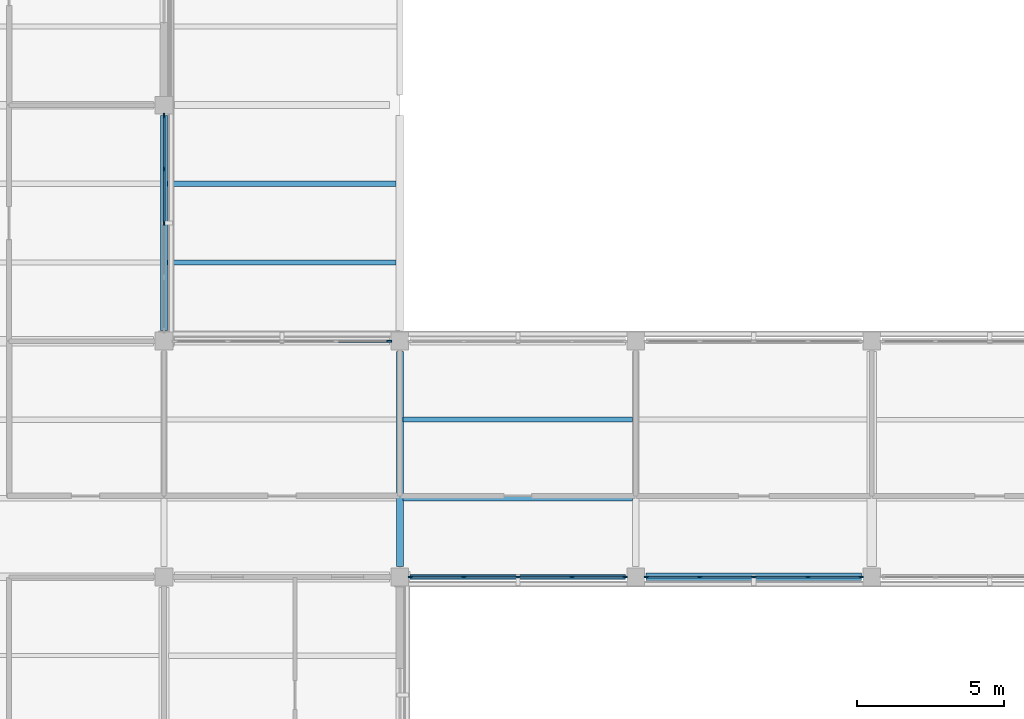
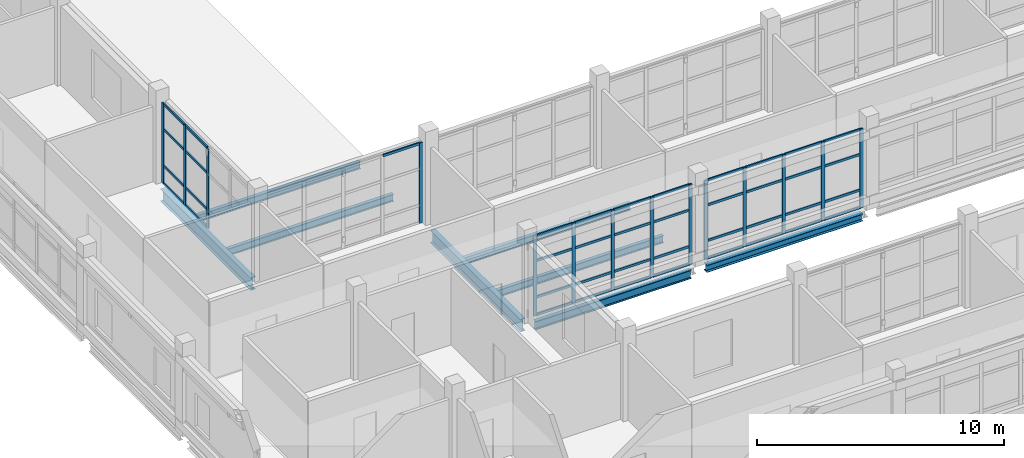
# One storey, part 16 of 121: 55 members, 8 beams, 4 elements without a shape of their own.
"""IFC4 building model written with IfcOpenShell, lengths in metres."""

from ifc_helpers import new_model, si_unit, derived_unit, direction, frame, origin, origin_2d, place, context, subcontext, project, spatial, rectangle, i_section, extrude, material, layer, layer_set, material_profile, profile_set, type_object, element, aggregate, save


model = new_model("IFC4")

# Units and contexts
model_context = context("Model", 3, precision=1e-05, world=origin(), true_north=direction((0.0, 1.0)))
body_context = subcontext(model_context, "Body", "Model", "MODEL_VIEW")
ifc_project = project(units=[si_unit("LENGTHUNIT", "METRE"), si_unit("AREAUNIT", "SQUARE_METRE"), si_unit("VOLUMEUNIT", "CUBIC_METRE"), si_unit("PLANEANGLEUNIT", "RADIAN"), si_unit("MASSUNIT", "GRAM", prefix="KILO"), derived_unit("THERMALTRANSMITTANCEUNIT", [(si_unit("MASSUNIT", "GRAM", prefix="KILO"), 1), (si_unit("TIMEUNIT", "SECOND"), -3), (si_unit("THERMODYNAMICTEMPERATUREUNIT", "KELVIN"), -1)])], contexts=[model_context])

# Site, building, storey
site_placement = place(None, origin())
site = spatial("IfcSite", under=ifc_project, at=site_placement, CompositionType="ELEMENT")
building_placement = place(site_placement, origin())
building = spatial("IfcBuilding", under=site, at=building_placement, Name="Veyamyaing Civic Hall", CompositionType="ELEMENT")
storey_placement = place(building_placement, frame((0.0, 0.0, 5.280029296875)))
storey = spatial("IfcBuildingStorey", under=building, at=storey_placement, Name="L01", CompositionType="ELEMENT", Elevation=5.280029296875)

# Beams
ifc_material_1 = material(Name="Steel ASTM A992", Category="steel")
ifc_material_profile_1 = material_profile(ifc_material_1, i_section(OverallWidth=0.22998046875, OverallDepth=0.616943359375, WebThickness=0.01318359375, FlangeThickness=0.022216796875, FilletRadius=0.012939453125, at=origin_2d()), Name="W610X140")
ifc_profile_set_1 = profile_set([ifc_material_profile_1], Name="Steel ASTM A992")
beam_type_1 = type_object("IfcBeamType", Name="B-05", PredefinedType="BEAM", material=ifc_profile_set_1)
for number, where, z_axis, x_axis, name in (
    (1, (8.0, 56.35009765625, -0.553466796875), (0.0, 1.0, 0.0), (-1.0, 0.0, 0.0), "Girder B-05 L01 Grid 2 H-J"),
    (2, (16.0, 48.35009765625, -0.553466796875), (0.0, 1.0, 0.0), (-1.0, 0.0, 0.0), "Girder B-05 L01 Grid 3 G-H"),
):
    element("IfcBeam", number, at=place(storey_placement, frame(where, z_axis=z_axis, x_axis=x_axis)), inside=storey, type_object=beam_type_1, Name=name, PredefinedType="BEAM", context=body_context, shape_type="SweptSolid", body=[
        extrude(i_section(OverallWidth=0.22998046875, OverallDepth=0.616943359375, WebThickness=0.01318359375, FlangeThickness=0.022216796875, FilletRadius=0.012939453125, at=origin_2d()), origin(), (0.0, 0.0, 1.0), 7.2998046875),
    ])
ifc_material_profile_2 = material_profile(ifc_material_1, i_section(OverallWidth=0.180908203125, OverallDepth=0.4169921875, WebThickness=0.010986328125, FlangeThickness=0.018310546875, FilletRadius=0.010009765625, at=origin_2d()), Name="W410X85")
ifc_profile_set_2 = profile_set([ifc_material_profile_2], Name="Steel ASTM A992")
beam_type_2 = type_object("IfcBeamType", Name="B-19", PredefinedType="SPANDREL", material=ifc_profile_set_2)
beam_1_placement = place(storey_placement, frame((16.35009765625, 48.0, -0.45361328125), z_axis=(1.0, 0.0, 0.0), x_axis=(0.0, 1.0, 0.0)))
element("IfcBeam", 3, at=beam_1_placement, inside=storey, type_object=beam_type_2, Name="Girder B-19 L01 Grid G 3-4", PredefinedType="SPANDREL", context=body_context, shape_type="SweptSolid", body=[
    extrude(i_section(OverallWidth=0.180908203125, OverallDepth=0.4169921875, WebThickness=0.010986328125, FlangeThickness=0.018310546875, FilletRadius=0.010009765625, at=origin_2d()), origin(), (0.0, 0.0, 1.0), 7.2998046875),
])
ifc_material_profile_3 = material_profile(ifc_material_1, i_section(OverallWidth=0.25390625, OverallDepth=0.35302734375, WebThickness=0.009521484375, FlangeThickness=0.016357421875, FilletRadius=0.011962890625, at=origin_2d()), Name="W360X91")
ifc_profile_set_3 = profile_set([ifc_material_profile_3], Name="Steel ASTM A992")
beam_type_3 = type_object("IfcBeamType", Name="B-20", PredefinedType="SPANDREL", material=ifc_profile_set_3)
beam_2_placement = place(storey_placement, frame((24.35009765625, 48.0, -0.421630859375), z_axis=(1.0, 0.0, 0.0), x_axis=(0.0, 1.0, 0.0)))
element("IfcBeam", 4, at=beam_2_placement, inside=storey, type_object=beam_type_3, Name="Girder B-20 L01 Grid G 4-5", PredefinedType="SPANDREL", context=body_context, shape_type="SweptSolid", body=[
    extrude(i_section(OverallWidth=0.25390625, OverallDepth=0.35302734375, WebThickness=0.009521484375, FlangeThickness=0.016357421875, FilletRadius=0.011962890625, at=origin_2d()), origin(), (0.0, 0.0, 1.0), 7.2998046875),
])

# Curtain wall, members
ifc_material_2 = material(Name="Anodised aluminium 6063-T6", Category="aluminium")
ifc_layer = layer(ifc_material_2, 0.159912109375, Name="Anodised aluminium 6063-T6")
ifc_layer_set = layer_set([ifc_layer], Name="Anodised aluminium 6063-T6")
curtain_wall_type = type_object("IfcCurtainWallType", Name="CW-02", PredefinedType="NOTDEFINED", material=ifc_layer_set)
curtain_wall_1_placement = place(storey_placement, origin())
curtain_wall_1 = element("IfcCurtainWall", 5, at=curtain_wall_1_placement, inside=storey, type_object=curtain_wall_type, Name="Unitized curtain wall CW-02 L01 E 1.8", PredefinedType="NOTDEFINED")
ifc_material_profile_4 = material_profile(ifc_material_2, rectangle(XDim=0.06494140625, YDim=0.159912109375, at=origin_2d()), Name="ALU-MUL-65X160")
ifc_profile_set_4 = profile_set([ifc_material_profile_4], Name="Anodised aluminium 6063-T6")
member_type_1 = type_object("IfcMemberType", Name="CWM-01", PredefinedType="MULLION", material=ifc_profile_set_4)
member_1_placement = place(storey_placement, frame((8.0, 60.0, 0.0), z_axis=(0.0, 0.0, 1.0), x_axis=(-1.0, 0.0, 0.0)))
member_1 = element("IfcMember", 6, at=member_1_placement, type_object=member_type_1, Name="CW-02 mullion 3", PredefinedType="MULLION", context=body_context, shape_type="SweptSolid", body=[
    extrude(rectangle(XDim=0.06494140625, YDim=0.159912109375, at=origin_2d()), origin(), (0.0, 0.0, 1.0), 3.973876953125),
])
member_2_placement = place(storey_placement, frame((8.0, 61.8349609375, 0.0), z_axis=(0.0, 0.0, 1.0), x_axis=(-1.0, 0.0, 0.0)))
member_2 = element("IfcMember", 7, at=member_2_placement, type_object=member_type_1, Name="CW-02 mullion 4", PredefinedType="MULLION", context=body_context, shape_type="SweptSolid", body=[
    extrude(rectangle(XDim=0.06494140625, YDim=0.159912109375, at=origin_2d()), origin(), (0.0, 0.0, 1.0), 3.973876953125),
])
member_3_placement = place(storey_placement, frame((8.0, 63.637451171875, 0.0), z_axis=(0.0, 0.0, 1.0), x_axis=(-1.0, 0.0, 0.0)))
member_3 = element("IfcMember", 8, at=member_3_placement, type_object=member_type_1, Name="CW-02 mullion 5", PredefinedType="MULLION", context=body_context, shape_type="SweptSolid", body=[
    extrude(rectangle(XDim=0.06494140625, YDim=0.159912109375, at=origin_2d()), origin(), (0.0, 0.0, 1.0), 3.973876953125),
])

# Curtain wall, member
curtain_wall_2_placement = place(storey_placement, origin())
curtain_wall_2 = element("IfcCurtainWall", 9, at=curtain_wall_2_placement, inside=storey, type_object=curtain_wall_type, Name="Unitized curtain wall CW-02 L01 N 2.7", PredefinedType="NOTDEFINED")
member_4_placement = place(storey_placement, frame((15.637451171875, 56.0, 0.0), z_axis=(0.0, 0.0, 1.0), x_axis=(0.0, 1.0, 0.0)))
member_4 = element("IfcMember", 10, at=member_4_placement, type_object=member_type_1, Name="CW-02 mullion 5", PredefinedType="MULLION", context=body_context, shape_type="SweptSolid", body=[
    extrude(rectangle(XDim=0.06494140625, YDim=0.159912109375, at=origin_2d()), origin(), (0.0, 0.0, 1.0), 3.973876953125),
])

# Curtain wall, members
curtain_wall_3_placement = place(storey_placement, origin())
curtain_wall_3 = element("IfcCurtainWall", 11, at=curtain_wall_3_placement, inside=storey, type_object=curtain_wall_type, Name="Unitized curtain wall CW-02 L01 S 3.7", PredefinedType="NOTDEFINED")
member_5_placement = place(storey_placement, frame((16.362548828125, 48.0, 0.0), z_axis=(0.0, 0.0, 1.0), x_axis=(0.0, 1.0, 0.0)))
member_5 = element("IfcMember", 12, at=member_5_placement, type_object=member_type_1, Name="CW-02 mullion 1", PredefinedType="MULLION", context=body_context, shape_type="SweptSolid", body=[
    extrude(rectangle(XDim=0.06494140625, YDim=0.159912109375, at=origin_2d()), origin(), (0.0, 0.0, 1.0), 3.973876953125),
])
member_6_placement = place(storey_placement, frame((18.1650390625, 48.0, 0.0), z_axis=(0.0, 0.0, 1.0), x_axis=(0.0, 1.0, 0.0)))
member_6 = element("IfcMember", 13, at=member_6_placement, type_object=member_type_1, Name="CW-02 mullion 2", PredefinedType="MULLION", context=body_context, shape_type="SweptSolid", body=[
    extrude(rectangle(XDim=0.06494140625, YDim=0.159912109375, at=origin_2d()), origin(), (0.0, 0.0, 1.0), 3.973876953125),
])
member_7_placement = place(storey_placement, frame((20.0, 48.0, 0.0), z_axis=(0.0, 0.0, 1.0), x_axis=(0.0, 1.0, 0.0)))
member_7 = element("IfcMember", 14, at=member_7_placement, type_object=member_type_1, Name="CW-02 mullion 3", PredefinedType="MULLION", context=body_context, shape_type="SweptSolid", body=[
    extrude(rectangle(XDim=0.06494140625, YDim=0.159912109375, at=origin_2d()), origin(), (0.0, 0.0, 1.0), 3.973876953125),
])
member_8_placement = place(storey_placement, frame((21.8349609375, 48.0, 0.0), z_axis=(0.0, 0.0, 1.0), x_axis=(0.0, 1.0, 0.0)))
member_8 = element("IfcMember", 15, at=member_8_placement, type_object=member_type_1, Name="CW-02 mullion 4", PredefinedType="MULLION", context=body_context, shape_type="SweptSolid", body=[
    extrude(rectangle(XDim=0.06494140625, YDim=0.159912109375, at=origin_2d()), origin(), (0.0, 0.0, 1.0), 3.973876953125),
])
member_9_placement = place(storey_placement, frame((23.637451171875, 48.0, 0.0), z_axis=(0.0, 0.0, 1.0), x_axis=(0.0, 1.0, 0.0)))
member_9 = element("IfcMember", 16, at=member_9_placement, type_object=member_type_1, Name="CW-02 mullion 5", PredefinedType="MULLION", context=body_context, shape_type="SweptSolid", body=[
    extrude(rectangle(XDim=0.06494140625, YDim=0.159912109375, at=origin_2d()), origin(), (0.0, 0.0, 1.0), 3.973876953125),
])

curtain_wall_4_placement = place(storey_placement, origin())
curtain_wall_4 = element("IfcCurtainWall", 17, at=curtain_wall_4_placement, inside=storey, type_object=curtain_wall_type, Name="Unitized curtain wall CW-02 L01 S 4.7", PredefinedType="NOTDEFINED")
member_10_placement = place(storey_placement, frame((24.362548828125, 48.0, 0.0), z_axis=(0.0, 0.0, 1.0), x_axis=(0.0, 1.0, 0.0)))
member_10 = element("IfcMember", 18, at=member_10_placement, type_object=member_type_1, Name="CW-02 mullion 1", PredefinedType="MULLION", context=body_context, shape_type="SweptSolid", body=[
    extrude(rectangle(XDim=0.06494140625, YDim=0.159912109375, at=origin_2d()), origin(), (0.0, 0.0, 1.0), 3.9140625),
])
member_11_placement = place(storey_placement, frame((26.1650390625, 48.0, 0.0), z_axis=(0.0, 0.0, 1.0), x_axis=(0.0, 1.0, 0.0)))
member_11 = element("IfcMember", 19, at=member_11_placement, type_object=member_type_1, Name="CW-02 mullion 2", PredefinedType="MULLION", context=body_context, shape_type="SweptSolid", body=[
    extrude(rectangle(XDim=0.06494140625, YDim=0.159912109375, at=origin_2d()), origin(), (0.0, 0.0, 1.0), 3.9140625),
])
member_12_placement = place(storey_placement, frame((28.0, 48.0, 0.0), z_axis=(0.0, 0.0, 1.0), x_axis=(0.0, 1.0, 0.0)))
member_12 = element("IfcMember", 20, at=member_12_placement, type_object=member_type_1, Name="CW-02 mullion 3", PredefinedType="MULLION", context=body_context, shape_type="SweptSolid", body=[
    extrude(rectangle(XDim=0.06494140625, YDim=0.159912109375, at=origin_2d()), origin(), (0.0, 0.0, 1.0), 3.9140625),
])
member_13_placement = place(storey_placement, frame((29.8349609375, 48.0, 0.0), z_axis=(0.0, 0.0, 1.0), x_axis=(0.0, 1.0, 0.0)))
member_13 = element("IfcMember", 21, at=member_13_placement, type_object=member_type_1, Name="CW-02 mullion 4", PredefinedType="MULLION", context=body_context, shape_type="SweptSolid", body=[
    extrude(rectangle(XDim=0.06494140625, YDim=0.159912109375, at=origin_2d()), origin(), (0.0, 0.0, 1.0), 3.9140625),
])
member_14_placement = place(storey_placement, frame((31.637451171875, 48.0, 0.0), z_axis=(0.0, 0.0, 1.0), x_axis=(0.0, 1.0, 0.0)))
member_14 = element("IfcMember", 22, at=member_14_placement, type_object=member_type_1, Name="CW-02 mullion 5", PredefinedType="MULLION", context=body_context, shape_type="SweptSolid", body=[
    extrude(rectangle(XDim=0.06494140625, YDim=0.159912109375, at=origin_2d()), origin(), (0.0, 0.0, 1.0), 3.9140625),
])

# Member
ifc_material_profile_5 = material_profile(ifc_material_2, rectangle(XDim=0.06494140625, YDim=0.1201171875, at=origin_2d()), Name="ALU-TRN-65X120")
ifc_profile_set_5 = profile_set([ifc_material_profile_5], Name="Anodised aluminium 6063-T6")
member_type_2 = type_object("IfcMemberType", Name="CWT-01", PredefinedType="USERDEFINED", material=ifc_profile_set_5)
member_15_placement = place(storey_placement, frame((8.0, 60.032470703125, 0.032470703125), z_axis=(0.0, 1.0, 0.0), x_axis=(-1.0, 0.0, 0.0)))
member_15 = element("IfcMember", 23, at=member_15_placement, type_object=member_type_2, Name="CW-02 transom 3.1", ObjectType="TRANSOM", PredefinedType="USERDEFINED", context=body_context, shape_type="SweptSolid", body=[
    extrude(rectangle(XDim=0.06494140625, YDim=0.1201171875, at=origin_2d()), origin(), (0.0, 0.0, 1.0), 1.77001953125),
])

member_16_placement = place(storey_placement, frame((8.0, 60.032470703125, 0.89990234375), z_axis=(0.0, 1.0, 0.0), x_axis=(-1.0, 0.0, 0.0)))
member_16 = element("IfcMember", 24, at=member_16_placement, type_object=member_type_2, Name="CW-02 transom 3.2", ObjectType="TRANSOM", PredefinedType="USERDEFINED", context=body_context, shape_type="SweptSolid", body=[
    extrude(rectangle(XDim=0.06494140625, YDim=0.1201171875, at=origin_2d()), origin(), (0.0, 0.0, 1.0), 1.77001953125),
])

member_17_placement = place(storey_placement, frame((8.0, 60.032470703125, 2.702392578125), z_axis=(0.0, 1.0, 0.0), x_axis=(-1.0, 0.0, 0.0)))
member_17 = element("IfcMember", 25, at=member_17_placement, type_object=member_type_2, Name="CW-02 transom 3.3", ObjectType="TRANSOM", PredefinedType="USERDEFINED", context=body_context, shape_type="SweptSolid", body=[
    extrude(rectangle(XDim=0.06494140625, YDim=0.1201171875, at=origin_2d()), origin(), (0.0, 0.0, 1.0), 1.77001953125),
])

member_18_placement = place(storey_placement, frame((8.0, 60.032470703125, 3.94140625), z_axis=(0.0, 1.0, 0.0), x_axis=(-1.0, 0.0, 0.0)))
member_18 = element("IfcMember", 26, at=member_18_placement, type_object=member_type_2, Name="CW-02 transom 3.4", ObjectType="TRANSOM", PredefinedType="USERDEFINED", context=body_context, shape_type="SweptSolid", body=[
    extrude(rectangle(XDim=0.06494140625, YDim=0.1201171875, at=origin_2d()), origin(), (0.0, 0.0, 1.0), 1.77001953125),
])

member_19_placement = place(storey_placement, frame((8.0, 61.867431640625, 0.032470703125), z_axis=(0.0, 1.0, 0.0), x_axis=(-1.0, 0.0, 0.0)))
member_19 = element("IfcMember", 27, at=member_19_placement, type_object=member_type_2, Name="CW-02 transom 4.1", ObjectType="TRANSOM", PredefinedType="USERDEFINED", context=body_context, shape_type="SweptSolid", body=[
    extrude(rectangle(XDim=0.06494140625, YDim=0.1201171875, at=origin_2d()), origin(), (0.0, 0.0, 1.0), 1.737548828125),
])

member_20_placement = place(storey_placement, frame((8.0, 61.867431640625, 0.89990234375), z_axis=(0.0, 1.0, 0.0), x_axis=(-1.0, 0.0, 0.0)))
member_20 = element("IfcMember", 28, at=member_20_placement, type_object=member_type_2, Name="CW-02 transom 4.2", ObjectType="TRANSOM", PredefinedType="USERDEFINED", context=body_context, shape_type="SweptSolid", body=[
    extrude(rectangle(XDim=0.06494140625, YDim=0.1201171875, at=origin_2d()), origin(), (0.0, 0.0, 1.0), 1.737548828125),
])

member_21_placement = place(storey_placement, frame((8.0, 61.867431640625, 2.702392578125), z_axis=(0.0, 1.0, 0.0), x_axis=(-1.0, 0.0, 0.0)))
member_21 = element("IfcMember", 29, at=member_21_placement, type_object=member_type_2, Name="CW-02 transom 4.3", ObjectType="TRANSOM", PredefinedType="USERDEFINED", context=body_context, shape_type="SweptSolid", body=[
    extrude(rectangle(XDim=0.06494140625, YDim=0.1201171875, at=origin_2d()), origin(), (0.0, 0.0, 1.0), 1.737548828125),
])

member_22_placement = place(storey_placement, frame((8.0, 61.867431640625, 3.94140625), z_axis=(0.0, 1.0, 0.0), x_axis=(-1.0, 0.0, 0.0)))
member_22 = element("IfcMember", 30, at=member_22_placement, type_object=member_type_2, Name="CW-02 transom 4.4", ObjectType="TRANSOM", PredefinedType="USERDEFINED", context=body_context, shape_type="SweptSolid", body=[
    extrude(rectangle(XDim=0.06494140625, YDim=0.1201171875, at=origin_2d()), origin(), (0.0, 0.0, 1.0), 1.737548828125),
])

aggregate(curtain_wall_1, [member_1, member_2, member_3, member_15, member_16, member_17, member_18, member_19, member_20, member_21, member_22])

member_23_placement = place(storey_placement, frame((13.867431640625, 56.0, 3.94140625), z_axis=(1.0, 0.0, 0.0), x_axis=(0.0, 1.0, 0.0)))
member_23 = element("IfcMember", 31, at=member_23_placement, type_object=member_type_2, Name="CW-02 transom 4.4", ObjectType="TRANSOM", PredefinedType="USERDEFINED", context=body_context, shape_type="SweptSolid", body=[
    extrude(rectangle(XDim=0.06494140625, YDim=0.1201171875, at=origin_2d()), origin(), (0.0, 0.0, 1.0), 1.737548828125),
])

aggregate(curtain_wall_2, [member_4, member_23])

member_24_placement = place(storey_placement, frame((16.39501953125, 48.0, 0.032470703125), z_axis=(1.0, 0.0, 0.0), x_axis=(0.0, 1.0, 0.0)))
member_24 = element("IfcMember", 32, at=member_24_placement, type_object=member_type_2, Name="CW-02 transom 1.1", ObjectType="TRANSOM", PredefinedType="USERDEFINED", context=body_context, shape_type="SweptSolid", body=[
    extrude(rectangle(XDim=0.06494140625, YDim=0.1201171875, at=origin_2d()), origin(), (0.0, 0.0, 1.0), 1.737548828125),
])

member_25_placement = place(storey_placement, frame((16.39501953125, 48.0, 0.89990234375), z_axis=(1.0, 0.0, 0.0), x_axis=(0.0, 1.0, 0.0)))
member_25 = element("IfcMember", 33, at=member_25_placement, type_object=member_type_2, Name="CW-02 transom 1.2", ObjectType="TRANSOM", PredefinedType="USERDEFINED", context=body_context, shape_type="SweptSolid", body=[
    extrude(rectangle(XDim=0.06494140625, YDim=0.1201171875, at=origin_2d()), origin(), (0.0, 0.0, 1.0), 1.737548828125),
])

member_26_placement = place(storey_placement, frame((16.39501953125, 48.0, 2.702392578125), z_axis=(1.0, 0.0, 0.0), x_axis=(0.0, 1.0, 0.0)))
member_26 = element("IfcMember", 34, at=member_26_placement, type_object=member_type_2, Name="CW-02 transom 1.3", ObjectType="TRANSOM", PredefinedType="USERDEFINED", context=body_context, shape_type="SweptSolid", body=[
    extrude(rectangle(XDim=0.06494140625, YDim=0.1201171875, at=origin_2d()), origin(), (0.0, 0.0, 1.0), 1.737548828125),
])

member_27_placement = place(storey_placement, frame((16.39501953125, 48.0, 3.94140625), z_axis=(1.0, 0.0, 0.0), x_axis=(0.0, 1.0, 0.0)))
member_27 = element("IfcMember", 35, at=member_27_placement, type_object=member_type_2, Name="CW-02 transom 1.4", ObjectType="TRANSOM", PredefinedType="USERDEFINED", context=body_context, shape_type="SweptSolid", body=[
    extrude(rectangle(XDim=0.06494140625, YDim=0.1201171875, at=origin_2d()), origin(), (0.0, 0.0, 1.0), 1.737548828125),
])

member_28_placement = place(storey_placement, frame((18.197509765625, 48.0, 0.032470703125), z_axis=(1.0, 0.0, 0.0), x_axis=(0.0, 1.0, 0.0)))
member_28 = element("IfcMember", 36, at=member_28_placement, type_object=member_type_2, Name="CW-02 transom 2.1", ObjectType="TRANSOM", PredefinedType="USERDEFINED", context=body_context, shape_type="SweptSolid", body=[
    extrude(rectangle(XDim=0.06494140625, YDim=0.1201171875, at=origin_2d()), origin(), (0.0, 0.0, 1.0), 1.77001953125),
])

member_29_placement = place(storey_placement, frame((18.197509765625, 48.0, 0.89990234375), z_axis=(1.0, 0.0, 0.0), x_axis=(0.0, 1.0, 0.0)))
member_29 = element("IfcMember", 37, at=member_29_placement, type_object=member_type_2, Name="CW-02 transom 2.2", ObjectType="TRANSOM", PredefinedType="USERDEFINED", context=body_context, shape_type="SweptSolid", body=[
    extrude(rectangle(XDim=0.06494140625, YDim=0.1201171875, at=origin_2d()), origin(), (0.0, 0.0, 1.0), 1.77001953125),
])

member_30_placement = place(storey_placement, frame((18.197509765625, 48.0, 2.702392578125), z_axis=(1.0, 0.0, 0.0), x_axis=(0.0, 1.0, 0.0)))
member_30 = element("IfcMember", 38, at=member_30_placement, type_object=member_type_2, Name="CW-02 transom 2.3", ObjectType="TRANSOM", PredefinedType="USERDEFINED", context=body_context, shape_type="SweptSolid", body=[
    extrude(rectangle(XDim=0.06494140625, YDim=0.1201171875, at=origin_2d()), origin(), (0.0, 0.0, 1.0), 1.77001953125),
])

member_31_placement = place(storey_placement, frame((18.197509765625, 48.0, 3.94140625), z_axis=(1.0, 0.0, 0.0), x_axis=(0.0, 1.0, 0.0)))
member_31 = element("IfcMember", 39, at=member_31_placement, type_object=member_type_2, Name="CW-02 transom 2.4", ObjectType="TRANSOM", PredefinedType="USERDEFINED", context=body_context, shape_type="SweptSolid", body=[
    extrude(rectangle(XDim=0.06494140625, YDim=0.1201171875, at=origin_2d()), origin(), (0.0, 0.0, 1.0), 1.77001953125),
])

member_32_placement = place(storey_placement, frame((20.032470703125, 48.0, 0.032470703125), z_axis=(1.0, 0.0, 0.0), x_axis=(0.0, 1.0, 0.0)))
member_32 = element("IfcMember", 40, at=member_32_placement, type_object=member_type_2, Name="CW-02 transom 3.1", ObjectType="TRANSOM", PredefinedType="USERDEFINED", context=body_context, shape_type="SweptSolid", body=[
    extrude(rectangle(XDim=0.06494140625, YDim=0.1201171875, at=origin_2d()), origin(), (0.0, 0.0, 1.0), 1.77001953125),
])

member_33_placement = place(storey_placement, frame((20.032470703125, 48.0, 0.89990234375), z_axis=(1.0, 0.0, 0.0), x_axis=(0.0, 1.0, 0.0)))
member_33 = element("IfcMember", 41, at=member_33_placement, type_object=member_type_2, Name="CW-02 transom 3.2", ObjectType="TRANSOM", PredefinedType="USERDEFINED", context=body_context, shape_type="SweptSolid", body=[
    extrude(rectangle(XDim=0.06494140625, YDim=0.1201171875, at=origin_2d()), origin(), (0.0, 0.0, 1.0), 1.77001953125),
])

member_34_placement = place(storey_placement, frame((20.032470703125, 48.0, 2.702392578125), z_axis=(1.0, 0.0, 0.0), x_axis=(0.0, 1.0, 0.0)))
member_34 = element("IfcMember", 42, at=member_34_placement, type_object=member_type_2, Name="CW-02 transom 3.3", ObjectType="TRANSOM", PredefinedType="USERDEFINED", context=body_context, shape_type="SweptSolid", body=[
    extrude(rectangle(XDim=0.06494140625, YDim=0.1201171875, at=origin_2d()), origin(), (0.0, 0.0, 1.0), 1.77001953125),
])

member_35_placement = place(storey_placement, frame((20.032470703125, 48.0, 3.94140625), z_axis=(1.0, 0.0, 0.0), x_axis=(0.0, 1.0, 0.0)))
member_35 = element("IfcMember", 43, at=member_35_placement, type_object=member_type_2, Name="CW-02 transom 3.4", ObjectType="TRANSOM", PredefinedType="USERDEFINED", context=body_context, shape_type="SweptSolid", body=[
    extrude(rectangle(XDim=0.06494140625, YDim=0.1201171875, at=origin_2d()), origin(), (0.0, 0.0, 1.0), 1.77001953125),
])

member_36_placement = place(storey_placement, frame((21.867431640625, 48.0, 0.032470703125), z_axis=(1.0, 0.0, 0.0), x_axis=(0.0, 1.0, 0.0)))
member_36 = element("IfcMember", 44, at=member_36_placement, type_object=member_type_2, Name="CW-02 transom 4.1", ObjectType="TRANSOM", PredefinedType="USERDEFINED", context=body_context, shape_type="SweptSolid", body=[
    extrude(rectangle(XDim=0.06494140625, YDim=0.1201171875, at=origin_2d()), origin(), (0.0, 0.0, 1.0), 1.737548828125),
])

member_37_placement = place(storey_placement, frame((21.867431640625, 48.0, 0.89990234375), z_axis=(1.0, 0.0, 0.0), x_axis=(0.0, 1.0, 0.0)))
member_37 = element("IfcMember", 45, at=member_37_placement, type_object=member_type_2, Name="CW-02 transom 4.2", ObjectType="TRANSOM", PredefinedType="USERDEFINED", context=body_context, shape_type="SweptSolid", body=[
    extrude(rectangle(XDim=0.06494140625, YDim=0.1201171875, at=origin_2d()), origin(), (0.0, 0.0, 1.0), 1.737548828125),
])

member_38_placement = place(storey_placement, frame((21.867431640625, 48.0, 2.702392578125), z_axis=(1.0, 0.0, 0.0), x_axis=(0.0, 1.0, 0.0)))
member_38 = element("IfcMember", 46, at=member_38_placement, type_object=member_type_2, Name="CW-02 transom 4.3", ObjectType="TRANSOM", PredefinedType="USERDEFINED", context=body_context, shape_type="SweptSolid", body=[
    extrude(rectangle(XDim=0.06494140625, YDim=0.1201171875, at=origin_2d()), origin(), (0.0, 0.0, 1.0), 1.737548828125),
])

member_39_placement = place(storey_placement, frame((21.867431640625, 48.0, 3.94140625), z_axis=(1.0, 0.0, 0.0), x_axis=(0.0, 1.0, 0.0)))
member_39 = element("IfcMember", 47, at=member_39_placement, type_object=member_type_2, Name="CW-02 transom 4.4", ObjectType="TRANSOM", PredefinedType="USERDEFINED", context=body_context, shape_type="SweptSolid", body=[
    extrude(rectangle(XDim=0.06494140625, YDim=0.1201171875, at=origin_2d()), origin(), (0.0, 0.0, 1.0), 1.737548828125),
])

aggregate(curtain_wall_3, [member_5, member_6, member_7, member_8, member_9, member_24, member_25, member_26, member_27, member_28, member_29, member_30, member_31, member_32, member_33, member_34, member_35, member_36, member_37, member_38, member_39])

member_40_placement = place(storey_placement, frame((24.39501953125, 48.0, 0.032470703125), z_axis=(1.0, 0.0, 0.0), x_axis=(0.0, 1.0, 0.0)))
member_40 = element("IfcMember", 48, at=member_40_placement, type_object=member_type_2, Name="CW-02 transom 1.1", ObjectType="TRANSOM", PredefinedType="USERDEFINED", context=body_context, shape_type="SweptSolid", body=[
    extrude(rectangle(XDim=0.06494140625, YDim=0.1201171875, at=origin_2d()), origin(), (0.0, 0.0, 1.0), 1.737548828125),
])

member_41_placement = place(storey_placement, frame((24.39501953125, 48.0, 0.89990234375), z_axis=(1.0, 0.0, 0.0), x_axis=(0.0, 1.0, 0.0)))
member_41 = element("IfcMember", 49, at=member_41_placement, type_object=member_type_2, Name="CW-02 transom 1.2", ObjectType="TRANSOM", PredefinedType="USERDEFINED", context=body_context, shape_type="SweptSolid", body=[
    extrude(rectangle(XDim=0.06494140625, YDim=0.1201171875, at=origin_2d()), origin(), (0.0, 0.0, 1.0), 1.737548828125),
])

member_42_placement = place(storey_placement, frame((24.39501953125, 48.0, 2.661376953125), z_axis=(1.0, 0.0, 0.0), x_axis=(0.0, 1.0, 0.0)))
member_42 = element("IfcMember", 50, at=member_42_placement, type_object=member_type_2, Name="CW-02 transom 1.3", ObjectType="TRANSOM", PredefinedType="USERDEFINED", context=body_context, shape_type="SweptSolid", body=[
    extrude(rectangle(XDim=0.06494140625, YDim=0.1201171875, at=origin_2d()), origin(), (0.0, 0.0, 1.0), 1.737548828125),
])

member_43_placement = place(storey_placement, frame((24.39501953125, 48.0, 3.881591796875), z_axis=(1.0, 0.0, 0.0), x_axis=(0.0, 1.0, 0.0)))
member_43 = element("IfcMember", 51, at=member_43_placement, type_object=member_type_2, Name="CW-02 transom 1.4", ObjectType="TRANSOM", PredefinedType="USERDEFINED", context=body_context, shape_type="SweptSolid", body=[
    extrude(rectangle(XDim=0.06494140625, YDim=0.1201171875, at=origin_2d()), origin(), (0.0, 0.0, 1.0), 1.737548828125),
])

member_44_placement = place(storey_placement, frame((26.197509765625, 48.0, 0.032470703125), z_axis=(1.0, 0.0, 0.0), x_axis=(0.0, 1.0, 0.0)))
member_44 = element("IfcMember", 52, at=member_44_placement, type_object=member_type_2, Name="CW-02 transom 2.1", ObjectType="TRANSOM", PredefinedType="USERDEFINED", context=body_context, shape_type="SweptSolid", body=[
    extrude(rectangle(XDim=0.06494140625, YDim=0.1201171875, at=origin_2d()), origin(), (0.0, 0.0, 1.0), 1.77001953125),
])

member_45_placement = place(storey_placement, frame((26.197509765625, 48.0, 0.89990234375), z_axis=(1.0, 0.0, 0.0), x_axis=(0.0, 1.0, 0.0)))
member_45 = element("IfcMember", 53, at=member_45_placement, type_object=member_type_2, Name="CW-02 transom 2.2", ObjectType="TRANSOM", PredefinedType="USERDEFINED", context=body_context, shape_type="SweptSolid", body=[
    extrude(rectangle(XDim=0.06494140625, YDim=0.1201171875, at=origin_2d()), origin(), (0.0, 0.0, 1.0), 1.77001953125),
])

member_46_placement = place(storey_placement, frame((26.197509765625, 48.0, 2.661376953125), z_axis=(1.0, 0.0, 0.0), x_axis=(0.0, 1.0, 0.0)))
member_46 = element("IfcMember", 54, at=member_46_placement, type_object=member_type_2, Name="CW-02 transom 2.3", ObjectType="TRANSOM", PredefinedType="USERDEFINED", context=body_context, shape_type="SweptSolid", body=[
    extrude(rectangle(XDim=0.06494140625, YDim=0.1201171875, at=origin_2d()), origin(), (0.0, 0.0, 1.0), 1.77001953125),
])

member_47_placement = place(storey_placement, frame((26.197509765625, 48.0, 3.881591796875), z_axis=(1.0, 0.0, 0.0), x_axis=(0.0, 1.0, 0.0)))
member_47 = element("IfcMember", 55, at=member_47_placement, type_object=member_type_2, Name="CW-02 transom 2.4", ObjectType="TRANSOM", PredefinedType="USERDEFINED", context=body_context, shape_type="SweptSolid", body=[
    extrude(rectangle(XDim=0.06494140625, YDim=0.1201171875, at=origin_2d()), origin(), (0.0, 0.0, 1.0), 1.77001953125),
])

member_48_placement = place(storey_placement, frame((28.032470703125, 48.0, 0.032470703125), z_axis=(1.0, 0.0, 0.0), x_axis=(0.0, 1.0, 0.0)))
member_48 = element("IfcMember", 56, at=member_48_placement, type_object=member_type_2, Name="CW-02 transom 3.1", ObjectType="TRANSOM", PredefinedType="USERDEFINED", context=body_context, shape_type="SweptSolid", body=[
    extrude(rectangle(XDim=0.06494140625, YDim=0.1201171875, at=origin_2d()), origin(), (0.0, 0.0, 1.0), 1.77001953125),
])

member_49_placement = place(storey_placement, frame((28.032470703125, 48.0, 0.89990234375), z_axis=(1.0, 0.0, 0.0), x_axis=(0.0, 1.0, 0.0)))
member_49 = element("IfcMember", 57, at=member_49_placement, type_object=member_type_2, Name="CW-02 transom 3.2", ObjectType="TRANSOM", PredefinedType="USERDEFINED", context=body_context, shape_type="SweptSolid", body=[
    extrude(rectangle(XDim=0.06494140625, YDim=0.1201171875, at=origin_2d()), origin(), (0.0, 0.0, 1.0), 1.77001953125),
])

member_50_placement = place(storey_placement, frame((28.032470703125, 48.0, 2.661376953125), z_axis=(1.0, 0.0, 0.0), x_axis=(0.0, 1.0, 0.0)))
member_50 = element("IfcMember", 58, at=member_50_placement, type_object=member_type_2, Name="CW-02 transom 3.3", ObjectType="TRANSOM", PredefinedType="USERDEFINED", context=body_context, shape_type="SweptSolid", body=[
    extrude(rectangle(XDim=0.06494140625, YDim=0.1201171875, at=origin_2d()), origin(), (0.0, 0.0, 1.0), 1.77001953125),
])

member_51_placement = place(storey_placement, frame((28.032470703125, 48.0, 3.881591796875), z_axis=(1.0, 0.0, 0.0), x_axis=(0.0, 1.0, 0.0)))
member_51 = element("IfcMember", 59, at=member_51_placement, type_object=member_type_2, Name="CW-02 transom 3.4", ObjectType="TRANSOM", PredefinedType="USERDEFINED", context=body_context, shape_type="SweptSolid", body=[
    extrude(rectangle(XDim=0.06494140625, YDim=0.1201171875, at=origin_2d()), origin(), (0.0, 0.0, 1.0), 1.77001953125),
])

member_52_placement = place(storey_placement, frame((29.867431640625, 48.0, 0.032470703125), z_axis=(1.0, 0.0, 0.0), x_axis=(0.0, 1.0, 0.0)))
member_52 = element("IfcMember", 60, at=member_52_placement, type_object=member_type_2, Name="CW-02 transom 4.1", ObjectType="TRANSOM", PredefinedType="USERDEFINED", context=body_context, shape_type="SweptSolid", body=[
    extrude(rectangle(XDim=0.06494140625, YDim=0.1201171875, at=origin_2d()), origin(), (0.0, 0.0, 1.0), 1.737548828125),
])

member_53_placement = place(storey_placement, frame((29.867431640625, 48.0, 0.89990234375), z_axis=(1.0, 0.0, 0.0), x_axis=(0.0, 1.0, 0.0)))
member_53 = element("IfcMember", 61, at=member_53_placement, type_object=member_type_2, Name="CW-02 transom 4.2", ObjectType="TRANSOM", PredefinedType="USERDEFINED", context=body_context, shape_type="SweptSolid", body=[
    extrude(rectangle(XDim=0.06494140625, YDim=0.1201171875, at=origin_2d()), origin(), (0.0, 0.0, 1.0), 1.737548828125),
])

member_54_placement = place(storey_placement, frame((29.867431640625, 48.0, 2.661376953125), z_axis=(1.0, 0.0, 0.0), x_axis=(0.0, 1.0, 0.0)))
member_54 = element("IfcMember", 62, at=member_54_placement, type_object=member_type_2, Name="CW-02 transom 4.3", ObjectType="TRANSOM", PredefinedType="USERDEFINED", context=body_context, shape_type="SweptSolid", body=[
    extrude(rectangle(XDim=0.06494140625, YDim=0.1201171875, at=origin_2d()), origin(), (0.0, 0.0, 1.0), 1.737548828125),
])

member_55_placement = place(storey_placement, frame((29.867431640625, 48.0, 3.881591796875), z_axis=(1.0, 0.0, 0.0), x_axis=(0.0, 1.0, 0.0)))
member_55 = element("IfcMember", 63, at=member_55_placement, type_object=member_type_2, Name="CW-02 transom 4.4", ObjectType="TRANSOM", PredefinedType="USERDEFINED", context=body_context, shape_type="SweptSolid", body=[
    extrude(rectangle(XDim=0.06494140625, YDim=0.1201171875, at=origin_2d()), origin(), (0.0, 0.0, 1.0), 1.737548828125),
])

aggregate(curtain_wall_4, [member_10, member_11, member_12, member_13, member_14, member_40, member_41, member_42, member_43, member_44, member_45, member_46, member_47, member_48, member_49, member_50, member_51, member_52, member_53, member_54, member_55])

# Beams
ifc_material_profile_6 = material_profile(ifc_material_1, i_section(OverallWidth=0.1708984375, OverallDepth=0.35205078125, WebThickness=0.0068359375, FlangeThickness=0.009765625, FilletRadius=0.010009765625, at=origin_2d()), Name="W360X44")
ifc_profile_set_6 = profile_set([ifc_material_profile_6], Name="Steel ASTM A992")
beam_type_4 = type_object("IfcBeamType", Name="J-03", PredefinedType="JOIST", material=ifc_profile_set_6)
for number, where, z_axis, x_axis, name in (
    (64, (8.113037109375, 58.666748046875, -0.421142578125), (1.0, 0.0, 0.0), (0.0, 1.0, 0.0), "Composite floor joist J-03 L01 2.8.1"),
    (65, (8.113037109375, 61.333251953125, -0.421142578125), (1.0, 0.0, 0.0), (0.0, 1.0, 0.0), "Composite floor joist J-03 L01 2.8.2"),
):
    element("IfcBeam", number, at=place(storey_placement, frame(where, z_axis=z_axis, x_axis=x_axis)), inside=storey, type_object=beam_type_4, Name=name, PredefinedType="JOIST", context=body_context, shape_type="SweptSolid", body=[
        extrude(i_section(OverallWidth=0.1708984375, OverallDepth=0.35205078125, WebThickness=0.0068359375, FlangeThickness=0.009765625, FilletRadius=0.010009765625, at=origin_2d()), origin(), (0.0, 0.0, 1.0), 7.761962890625),
    ])
for number, where, z_axis, x_axis, name in (
    (66, (16.113037109375, 50.666748046875, -0.421142578125), (1.0, 0.0, 0.0), (0.0, 1.0, 0.0), "Composite floor joist J-03 L01 3.7.1"),
    (67, (16.113037109375, 53.333251953125, -0.421142578125), (1.0, 0.0, 0.0), (0.0, 1.0, 0.0), "Composite floor joist J-03 L01 3.7.2"),
):
    element("IfcBeam", number, at=place(storey_placement, frame(where, z_axis=z_axis, x_axis=x_axis)), inside=storey, type_object=beam_type_4, Name=name, PredefinedType="JOIST", context=body_context, shape_type="SweptSolid", body=[
        extrude(i_section(OverallWidth=0.1708984375, OverallDepth=0.35205078125, WebThickness=0.0068359375, FlangeThickness=0.009765625, FilletRadius=0.010009765625, at=origin_2d()), origin(), (0.0, 0.0, 1.0), 7.77490234375),
    ])

save(model, "model.ifc")
